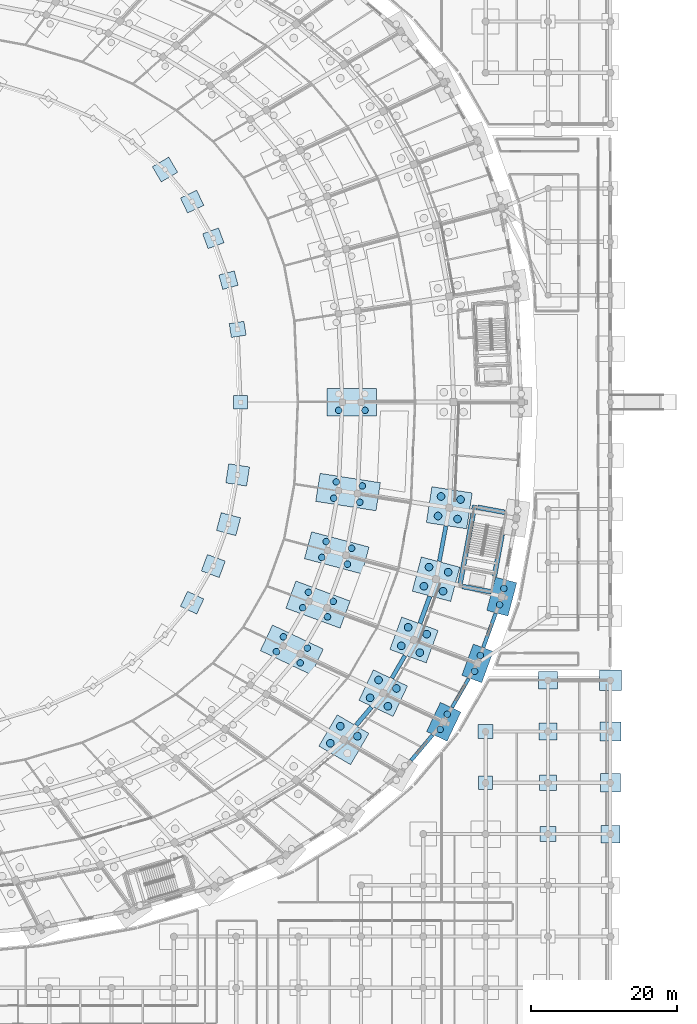
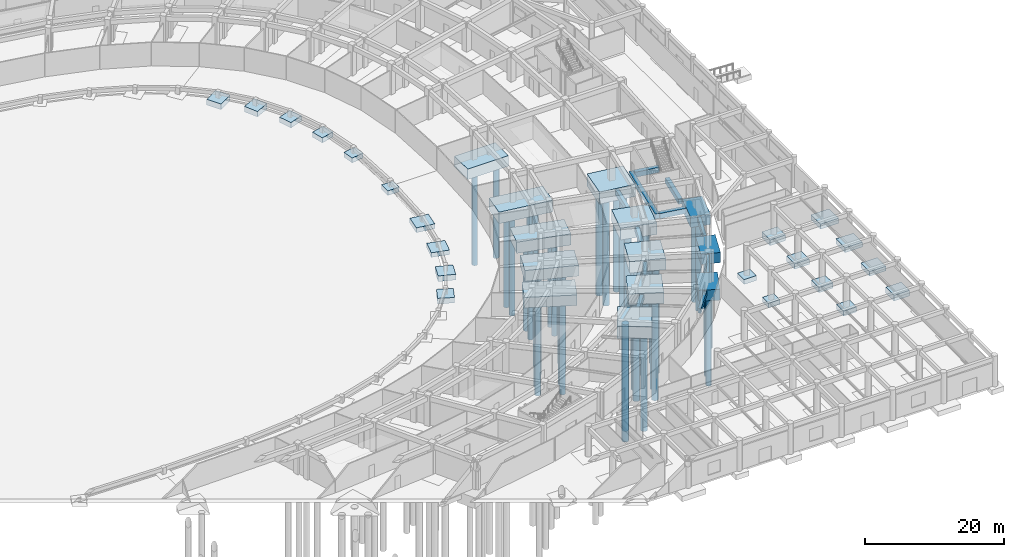
# One storey, part 7 of 88: 44 footings, 43 piles.
"""IFC4 building model written with IfcOpenShell, lengths in metres."""

from ifc_helpers import new_model, si_unit, direction, frame, origin, origin_2d, place, context, subcontext, project, spatial, rectangle, circle, extrude, material, material_profile, profile_set, type_object, element, save


model = new_model("IFC4")

# Units and contexts
model_context = context("Model", 3, precision=1e-05, world=origin(), true_north=direction((0.0, 1.0)))
body_context = subcontext(model_context, "Body", "Model", "MODEL_VIEW")
ifc_project = project(units=[si_unit("LENGTHUNIT", "METRE"), si_unit("AREAUNIT", "SQUARE_METRE"), si_unit("VOLUMEUNIT", "CUBIC_METRE"), si_unit("PLANEANGLEUNIT", "RADIAN"), si_unit("MASSUNIT", "GRAM", prefix="KILO")], contexts=[model_context])

# Site, building, storey
site_placement = place(None, origin())
site = spatial("IfcSite", under=ifc_project, at=site_placement, CompositionType="ELEMENT")
building_placement = place(site_placement, origin())
building = spatial("IfcBuilding", under=site, at=building_placement, Name="Mphavela Belvedere Stadium", CompositionType="ELEMENT")
storey_placement = place(building_placement, origin())
storey = spatial("IfcBuildingStorey", under=building, at=storey_placement, Name="L00", CompositionType="ELEMENT", Elevation=0.0)

# Footings
ifc_material_1 = material(Name="Concrete C35/45", Category="concrete")
footing_type_1 = type_object("IfcFootingType", Name="FTG-CORE-CF01", PredefinedType="PAD_FOOTING", material=ifc_material_1)
footing_1_placement = place(storey_placement, frame((210.429931640625, 67.302734375, -0.89990234375), z_axis=(0.0, 0.0, 1.0), x_axis=(-0.182578735093, -0.983191235463, 0.0)))
element("IfcFooting", 1, at=footing_1_placement, inside=storey, type_object=footing_type_1, Name="Core C12 shear wall foundation pad front", PredefinedType="PAD_FOOTING", context=body_context, shape_type="SweptSolid", body=[
    extrude(rectangle(XDim=11.419921875, YDim=0.64990234375, at=origin_2d()), origin(), (0.0, 0.0, 1.0), 0.89990234375),
])
ifc_material_2 = material(Name="Concrete C35/45", Category="concrete")
footing_type_2 = type_object("IfcFootingType", Name="FTG-CORE-CF08", PredefinedType="PAD_FOOTING", material=ifc_material_2)
footing_2_placement = place(storey_placement, frame((213.726318359375, 72.294677734375, -0.89990234375), z_axis=(0.0, 0.0, 1.0), x_axis=(0.983191235463, -0.182578735093, 0.0)))
element("IfcFooting", 2, at=footing_2_placement, inside=storey, type_object=footing_type_2, Name="Core C12 shear wall foundation pad left", PredefinedType="PAD_FOOTING", context=body_context, shape_type="SweptSolid", body=[
    extrude(rectangle(XDim=3.75, YDim=0.64990234375, at=origin_2d()), origin(), (0.0, 0.0, 1.0), 0.89990234375),
])
ifc_material_3 = material(Name="Concrete C35/45", Category="concrete")
footing_type_3 = type_object("IfcFootingType", Name="FTG-CORE-CF09", PredefinedType="PAD_FOOTING", material=ifc_material_3)
footing_3_placement = place(storey_placement, frame((211.750732421875, 61.453125, -0.89990234375), z_axis=(0.0, 0.0, 1.0), x_axis=(0.983191235463, -0.182578735093, 0.0)))
element("IfcFooting", 3, at=footing_3_placement, inside=storey, type_object=footing_type_3, Name="Core C12 shear wall foundation pad right", PredefinedType="PAD_FOOTING", context=body_context, shape_type="SweptSolid", body=[
    extrude(rectangle(XDim=4.0, YDim=0.64990234375, at=origin_2d()), origin(), (0.0, 0.0, 1.0), 0.89990234375),
])
ifc_material_4 = material(Name="Concrete C35/45", Category="concrete")
footing_type_4 = type_object("IfcFootingType", Name="FTG-CORE-CF13", PredefinedType="PAD_FOOTING", material=ifc_material_4)
footing_4_placement = place(storey_placement, frame((214.685302734375, 66.06396484375, -0.89990234375), z_axis=(0.0, 0.0, 1.0), x_axis=(-0.182578735093, -0.983191235463, 0.0)))
element("IfcFooting", 4, at=footing_4_placement, inside=storey, type_object=footing_type_4, Name="Core C12 shear wall foundation pad rear", PredefinedType="PAD_FOOTING", context=body_context, shape_type="SweptSolid", body=[
    extrude(rectangle(XDim=5.75, YDim=0.64990234375, at=origin_2d()), origin(), (0.0, 0.0, 1.0), 0.89990234375),
])
ifc_material_5 = material(Name="Concrete C35/45", Category="concrete")
ifc_material_profile_1 = material_profile(ifc_material_5, rectangle(XDim=0.449951171875, YDim=0.75, at=origin_2d()), Name="GB 450x750")
ifc_profile_set_1 = profile_set([ifc_material_profile_1], Name="Concrete C35/45")
footing_type_5 = type_object("IfcFootingType", Name="FTG-GB-01", PredefinedType="FOOTING_BEAM", material=ifc_profile_set_1)
footing_5_placement = place(storey_placement, frame((208.373779296875, 45.294921875, -0.5), z_axis=(0.500546068752, 0.865709901212, 0.0), x_axis=(-0.865709901212, 0.500546068752, 0.0)))
element("IfcFooting", 5, at=footing_5_placement, inside=storey, type_object=footing_type_5, Name="Ground tie-beam R4-45", PredefinedType="FOOTING_BEAM", context=body_context, shape_type="SweptSolid", body=[
    extrude(rectangle(XDim=0.449951171875, YDim=0.75, at=origin_2d()), origin(), (0.0, 0.0, 1.0), 4.5751953125),
])
ifc_material_6 = material(Name="Concrete C35/45", Category="concrete")
ifc_material_profile_2 = material_profile(ifc_material_6, rectangle(XDim=0.5, YDim=0.800048828125, at=origin_2d()), Name="GB 500x800")
ifc_profile_set_2 = profile_set([ifc_material_profile_2], Name="Concrete C35/45")
footing_type_6 = type_object("IfcFootingType", Name="FTG-GB-02", PredefinedType="FOOTING_BEAM", material=ifc_profile_set_2)
footing_6_placement = place(storey_placement, frame((202.779541015625, 38.05322265625, -0.5), z_axis=(0.645158496443, 0.764048764457, 0.0), x_axis=(-0.764048764457, 0.645158496443, 0.0)))
element("IfcFooting", 6, at=footing_6_placement, inside=storey, type_object=footing_type_6, Name="Ground tie-beam R4-44", PredefinedType="FOOTING_BEAM", context=body_context, shape_type="SweptSolid", body=[
    extrude(rectangle(XDim=0.5, YDim=0.800048828125, at=origin_2d()), origin(), (0.0, 0.0, 1.0), 4.540283203125),
])
footing_7_placement = place(storey_placement, frame((212.64404296875, 53.489501953125, -0.5), z_axis=(0.341041650333, 0.940048186392, 0.0), x_axis=(-0.940048186392, 0.341041650333, 0.0)))
element("IfcFooting", 7, at=footing_7_placement, inside=storey, type_object=footing_type_6, Name="Ground tie-beam R4-46", PredefinedType="FOOTING_BEAM", context=body_context, shape_type="SweptSolid", body=[
    extrude(rectangle(XDim=0.5, YDim=0.800048828125, at=origin_2d()), origin(), (0.0, 0.0, 1.0), 4.975341796875),
])
ifc_material_7 = material(Name="Concrete C35/45", Category="concrete")
ifc_material_profile_3 = material_profile(ifc_material_7, rectangle(XDim=0.550048828125, YDim=0.85009765625, at=origin_2d()), Name="GB 550x850")
ifc_profile_set_3 = profile_set([ifc_material_profile_3], Name="Concrete C35/45")
footing_type_7 = type_object("IfcFootingType", Name="FTG-GB-03", PredefinedType="FOOTING_BEAM", material=ifc_profile_set_3)
footing_8_placement = place(storey_placement, frame((200.1591796875, 49.298583984375, -0.550048828125), z_axis=(0.500540002691, 0.865713408529, 0.0), x_axis=(-0.865713408529, 0.500540002691, 0.0)))
element("IfcFooting", 8, at=footing_8_placement, inside=storey, type_object=footing_type_7, Name="Ground tie-beam R3-45", PredefinedType="FOOTING_BEAM", context=body_context, shape_type="SweptSolid", body=[
    extrude(rectangle(XDim=0.550048828125, YDim=0.85009765625, at=origin_2d()), origin(), (0.0, 0.0, 1.0), 3.54931640625),
])
footing_9_placement = place(storey_placement, frame((206.640869140625, 65.25830078125, -0.550048828125), z_axis=(0.182657995245, 0.983176513538, 0.0), x_axis=(-0.983176513538, 0.182657995245, 0.0)))
element("IfcFooting", 9, at=footing_9_placement, inside=storey, type_object=footing_type_7, Name="Ground tie-beam R3-47", PredefinedType="FOOTING_BEAM", context=body_context, shape_type="SweptSolid", body=[
    extrude(rectangle(XDim=0.550048828125, YDim=0.85009765625, at=origin_2d()), origin(), (0.0, 0.0, 1.0), 4.918701171875),
])
ifc_material_8 = material(Name="Concrete C35/45", Category="concrete")
ifc_material_profile_4 = material_profile(ifc_material_8, rectangle(XDim=0.60009765625, YDim=0.89990234375, at=origin_2d()), Name="GB 600x900")
ifc_profile_set_4 = profile_set([ifc_material_profile_4], Name="Concrete C35/45")
footing_type_8 = type_object("IfcFootingType", Name="FTG-GB-04", PredefinedType="FOOTING_BEAM", material=ifc_profile_set_4)
footing_10_placement = place(storey_placement, frame((195.279541015625, 42.874755859375, -0.550048828125), z_axis=(0.645167110674, 0.764041490565, 0.0), x_axis=(-0.764041490565, 0.645167110674, 0.0)))
element("IfcFooting", 10, at=footing_10_placement, inside=storey, type_object=footing_type_8, Name="Ground tie-beam R3-44", PredefinedType="FOOTING_BEAM", context=body_context, shape_type="SweptSolid", body=[
    extrude(rectangle(XDim=0.60009765625, YDim=0.89990234375, at=origin_2d()), origin(), (0.0, 0.0, 1.0), 3.234619140625),
])
footing_11_placement = place(storey_placement, frame((203.99267578125, 56.767578125, -0.550048828125), z_axis=(0.341027620059, 0.940053276339, 0.0), x_axis=(-0.940053276339, 0.341027620059, 0.0)))
element("IfcFooting", 11, at=footing_11_placement, inside=storey, type_object=footing_type_8, Name="Ground tie-beam R3-46", PredefinedType="FOOTING_BEAM", context=body_context, shape_type="SweptSolid", body=[
    extrude(rectangle(XDim=0.60009765625, YDim=0.89990234375, at=origin_2d()), origin(), (0.0, 0.0, 1.0), 3.946044921875),
])
ifc_material_9 = material(Name="Concrete C35/45", Category="concrete")
footing_type_9 = type_object("IfcFootingType", Name="FTG-PAD-01", PredefinedType="PAD_FOOTING", material=ifc_material_9)
for number, where, z_axis, x_axis, name in (
    (12, (179.5048828125, 87.0, -0.7998046875), (0.0, 0.0, 1.0), (1.0, 0.0, 0.0), "Tier front pad footing 01"),
    (13, (212.962890625, 35.0, -0.7998046875), (0.0, 0.0, 1.0), (1.0, 0.0, 0.0), "South Axial Triumphal Peristyle Portico pad footing 26-6"),
):
    element("IfcFooting", number, at=place(storey_placement, frame(where, z_axis=z_axis, x_axis=x_axis)), inside=storey, type_object=footing_type_9, Name=name, PredefinedType="PAD_FOOTING", context=body_context, shape_type="SweptSolid", body=[
        extrude(rectangle(XDim=1.89990234375, YDim=1.800048828125, at=origin_2d()), origin(), (0.0, 0.0, 1.0), 0.800048828125),
    ])
ifc_material_10 = material(Name="Concrete C35/45", Category="concrete")
footing_type_10 = type_object("IfcFootingType", Name="FTG-PAD-02", PredefinedType="PAD_FOOTING", material=ifc_material_10)
for number, where, z_axis, x_axis, name in (
    (14, (179.088134765625, 96.9404296875, -0.83984375), (0.0, 0.0, 1.0), (0.98817491911, 0.153330783737, 0.0), "Tier front pad footing 02"),
    (15, (212.962890625, 42.0, -0.83984375), (0.0, 0.0, 1.0), (1.0, 0.0, 0.0), "South Axial Triumphal Peristyle Portico pad footing 26-7"),
):
    element("IfcFooting", number, at=place(storey_placement, frame(where, z_axis=z_axis, x_axis=x_axis)), inside=storey, type_object=footing_type_10, Name=name, PredefinedType="PAD_FOOTING", context=body_context, shape_type="SweptSolid", body=[
        extrude(rectangle(XDim=2.0400390625, YDim=1.919921875, at=origin_2d()), origin(), (0.0, 0.0, 1.0), 0.840087890625),
    ])
ifc_material_11 = material(Name="Concrete C35/45", Category="concrete")
footing_type_11 = type_object("IfcFootingType", Name="FTG-PAD-03", PredefinedType="PAD_FOOTING", material=ifc_material_11)
for number, where, z_axis, x_axis, name in (
    (16, (177.839111328125, 103.664306640625, -0.8798828125), (0.0, 0.0, 1.0), (0.966600102017, 0.256289373133, 0.0), "Tier front pad footing 03"),
    (17, (221.48095703125, 28.0, -0.8798828125), (0.0, 0.0, 1.0), (1.0, 0.0, 0.0), "South Axial Triumphal Peristyle Portico pad footing 27-5"),
):
    element("IfcFooting", number, at=place(storey_placement, frame(where, z_axis=z_axis, x_axis=x_axis)), inside=storey, type_object=footing_type_11, Name=name, PredefinedType="PAD_FOOTING", context=body_context, shape_type="SweptSolid", body=[
        extrude(rectangle(XDim=2.179931640625, YDim=2.0400390625, at=origin_2d()), origin(), (0.0, 0.0, 1.0), 0.8798828125),
    ])
ifc_material_12 = material(Name="Concrete C35/45", Category="concrete")
footing_type_12 = type_object("IfcFootingType", Name="FTG-PAD-04", PredefinedType="PAD_FOOTING", material=ifc_material_12)
for number, where, z_axis, x_axis, name in (
    (18, (175.763427734375, 109.385498046875, -0.919921875), (0.0, 0.0, 1.0), (0.938372433776, 0.34562577382, 0.0), "Tier front pad footing 04"),
    (19, (221.48095703125, 35.0, -0.919921875), (0.0, 0.0, 1.0), (1.0, 0.0, 0.0), "South Axial Triumphal Peristyle Portico pad footing 27-6"),
):
    element("IfcFooting", number, at=place(storey_placement, frame(where, z_axis=z_axis, x_axis=x_axis)), inside=storey, type_object=footing_type_12, Name=name, PredefinedType="PAD_FOOTING", context=body_context, shape_type="SweptSolid", body=[
        extrude(rectangle(XDim=2.320068359375, YDim=2.159912109375, at=origin_2d()), origin(), (0.0, 0.0, 1.0), 0.919921875),
    ])
ifc_material_13 = material(Name="Concrete C35/45", Category="concrete")
footing_type_13 = type_object("IfcFootingType", Name="FTG-PAD-05", PredefinedType="PAD_FOOTING", material=ifc_material_13)
for number, where, z_axis, x_axis, name in (
    (20, (172.869140625, 114.391357421875, -0.9599609375), (0.0, 0.0, 1.0), (0.903858661687, 0.4278311813, 0.0), "Tier front pad footing 05"),
    (21, (172.869140625, 59.608642578125, -0.9599609375), (0.0, 0.0, 1.0), (0.903858661687, -0.4278311813, 0.0), "Tier front pad footing 45"),
    (22, (221.48095703125, 42.0, -0.9599609375), (0.0, 0.0, 1.0), (1.0, 0.0, 0.0), "South Axial Triumphal Peristyle Portico pad footing 27-7"),
):
    element("IfcFooting", number, at=place(storey_placement, frame(where, z_axis=z_axis, x_axis=x_axis)), inside=storey, type_object=footing_type_13, Name=name, PredefinedType="PAD_FOOTING", context=body_context, shape_type="SweptSolid", body=[
        extrude(rectangle(XDim=2.4599609375, YDim=2.280029296875, at=origin_2d()), origin(), (0.0, 0.0, 1.0), 0.9599609375),
    ])
ifc_material_14 = material(Name="Concrete C35/45", Category="concrete")
footing_type_14 = type_object("IfcFootingType", Name="FTG-PAD-06", PredefinedType="PAD_FOOTING", material=ifc_material_14)
for number, where, z_axis, x_axis, name in (
    (23, (169.1650390625, 118.77783203125, -1.0), (0.0, 0.0, 1.0), (0.862513669207, 0.506033764121, 0.0), "Tier front pad footing 06"),
    (24, (175.763427734375, 64.614501953125, -1.0), (0.0, 0.0, 1.0), (0.938372433776, -0.34562577382, 0.0), "Tier front pad footing 46"),
    (25, (221.48095703125, 49.0, -1.0), (0.0, 0.0, 1.0), (1.0, 0.0, 0.0), "South Axial Triumphal Peristyle Portico pad footing 27-8"),
    (26, (230.0, 28.0, -1.0), (0.0, 0.0, 1.0), (1.0, 0.0, 0.0), "South Axial Triumphal Peristyle Portico pad footing 28-5"),
):
    element("IfcFooting", number, at=place(storey_placement, frame(where, z_axis=z_axis, x_axis=x_axis)), inside=storey, type_object=footing_type_14, Name=name, PredefinedType="PAD_FOOTING", context=body_context, shape_type="SweptSolid", body=[
        extrude(rectangle(XDim=2.60009765625, YDim=2.39990234375, at=origin_2d()), origin(), (0.0, 0.0, 1.0), 1.0),
    ])
ifc_material_15 = material(Name="Concrete C35/45", Category="concrete")
footing_type_15 = type_object("IfcFootingType", Name="FTG-PAD-07", PredefinedType="PAD_FOOTING", material=ifc_material_15)
for number, where, z_axis, x_axis, name in (
    (27, (177.839111328125, 70.335693359375, -0.7998046875), (0.0, 0.0, 1.0), (0.966600102017, -0.256289373133, 0.0), "Tier front pad footing 47"),
    (28, (230.0, 35.0, -0.7998046875), (0.0, 0.0, 1.0), (1.0, 0.0, 0.0), "South Axial Triumphal Peristyle Portico pad footing 28-6"),
):
    element("IfcFooting", number, at=place(storey_placement, frame(where, z_axis=z_axis, x_axis=x_axis)), inside=storey, type_object=footing_type_15, Name=name, PredefinedType="PAD_FOOTING", context=body_context, shape_type="SweptSolid", body=[
        extrude(rectangle(XDim=2.739990234375, YDim=2.52001953125, at=origin_2d()), origin(), (0.0, 0.0, 1.0), 0.800048828125),
    ])
ifc_material_16 = material(Name="Concrete C35/45", Category="concrete")
footing_type_16 = type_object("IfcFootingType", Name="FTG-PAD-08", PredefinedType="PAD_FOOTING", material=ifc_material_16)
for number, where, z_axis, x_axis, name in (
    (29, (179.088134765625, 77.0595703125, -0.83984375), (0.0, 0.0, 1.0), (0.98817491911, -0.153330783737, 0.0), "Tier front pad footing 48"),
    (30, (230.0, 42.0, -0.83984375), (0.0, 0.0, 1.0), (1.0, 0.0, 0.0), "South Axial Triumphal Peristyle Portico pad footing 28-7"),
):
    element("IfcFooting", number, at=place(storey_placement, frame(where, z_axis=z_axis, x_axis=x_axis)), inside=storey, type_object=footing_type_16, Name=name, PredefinedType="PAD_FOOTING", context=body_context, shape_type="SweptSolid", body=[
        extrude(rectangle(XDim=2.8798828125, YDim=2.639892578125, at=origin_2d()), origin(), (0.0, 0.0, 1.0), 0.840087890625),
    ])
ifc_material_17 = material(Name="Concrete C35/45", Category="concrete")
footing_type_17 = type_object("IfcFootingType", Name="FTG-PAD-09", PredefinedType="PAD_FOOTING", material=ifc_material_17)
footing_12_placement = place(storey_placement, frame((230.0, 49.0, -0.8798828125), z_axis=(0.0, 0.0, 1.0), x_axis=(1.0, 0.0, 0.0)))
element("IfcFooting", 31, at=footing_12_placement, inside=storey, type_object=footing_type_17, Name="South Axial Triumphal Peristyle Portico pad footing 28-8", PredefinedType="PAD_FOOTING", context=body_context, shape_type="SweptSolid", body=[
    extrude(rectangle(XDim=3.02001953125, YDim=2.760009765625, at=origin_2d()), origin(), (0.0, 0.0, 1.0), 0.8798828125),
])
ifc_material_18 = material(Name="Concrete C35/45", Category="concrete")
footing_type_18 = type_object("IfcFootingType", Name="FTG-PC-R12-01", PredefinedType="PILE_CAP", material=ifc_material_18)
footing_13_placement = place(storey_placement, frame((194.685546875, 87.0, -1.85009765625), z_axis=(0.0, 0.0, 1.0), x_axis=(1.0, 0.0, 0.0)))
element("IfcFooting", 32, at=footing_13_placement, inside=storey, type_object=footing_type_18, Name="Bowl inner pile cap 01", PredefinedType="PILE_CAP", context=body_context, shape_type="SweptSolid", body=[
    extrude(rectangle(XDim=6.800048828125, YDim=3.800048828125, at=origin_2d()), origin(), (0.0, 0.0, 1.0), 1.85009765625),
])
ifc_material_19 = material(Name="Concrete C35/45", Category="concrete")
footing_type_19 = type_object("IfcFootingType", Name="FTG-PC-R12-05", PredefinedType="PILE_CAP", material=ifc_material_19)
footing_14_placement = place(storey_placement, frame((186.48779296875, 53.162353515625, -1.85009765625), z_axis=(0.0, 0.0, 1.0), x_axis=(0.903858661687, -0.4278311813, 0.0)))
element("IfcFooting", 33, at=footing_14_placement, inside=storey, type_object=footing_type_19, Name="Bowl inner pile cap 45", PredefinedType="PILE_CAP", context=body_context, shape_type="SweptSolid", body=[
    extrude(rectangle(XDim=7.679931640625, YDim=3.8798828125, at=origin_2d()), origin(), (0.0, 0.0, 1.0), 1.85009765625),
])
ifc_material_20 = material(Name="Concrete C35/45", Category="concrete")
footing_type_20 = type_object("IfcFootingType", Name="FTG-PC-R12-06", PredefinedType="PILE_CAP", material=ifc_material_20)
footing_15_placement = place(storey_placement, frame((190.0634765625, 59.34619140625, -1.91015625), z_axis=(0.0, 0.0, 1.0), x_axis=(0.938372433776, -0.34562577382, 0.0)))
element("IfcFooting", 34, at=footing_15_placement, inside=storey, type_object=footing_type_20, Name="Bowl inner pile cap 46", PredefinedType="PILE_CAP", context=body_context, shape_type="SweptSolid", body=[
    extrude(rectangle(XDim=7.89990234375, YDim=3.9599609375, at=origin_2d()), origin(), (0.0, 0.0, 1.0), 1.909912109375),
])
ifc_material_21 = material(Name="Concrete C35/45", Category="concrete")
footing_type_21 = type_object("IfcFootingType", Name="FTG-PC-R12-07", PredefinedType="PILE_CAP", material=ifc_material_21)
footing_16_placement = place(storey_placement, frame((192.627685546875, 66.4140625, -1.97021484375), z_axis=(0.0, 0.0, 1.0), x_axis=(0.966600102017, -0.256289373133, 0.0)))
element("IfcFooting", 35, at=footing_16_placement, inside=storey, type_object=footing_type_21, Name="Bowl inner pile cap 47", PredefinedType="PILE_CAP", context=body_context, shape_type="SweptSolid", body=[
    extrude(rectangle(XDim=8.1201171875, YDim=3.800048828125, at=origin_2d()), origin(), (0.0, 0.0, 1.0), 1.969970703125),
])
ifc_material_22 = material(Name="Concrete C35/45", Category="concrete")
footing_type_22 = type_object("IfcFootingType", Name="FTG-PC-R12-08", PredefinedType="PILE_CAP", material=ifc_material_22)
footing_17_placement = place(storey_placement, frame((194.17041015625, 74.72021484375, -2.02978515625), z_axis=(0.0, 0.0, 1.0), x_axis=(0.98817491911, -0.153330783737, 0.0)))
element("IfcFooting", 36, at=footing_17_placement, inside=storey, type_object=footing_type_22, Name="Bowl inner pile cap 48", PredefinedType="PILE_CAP", context=body_context, shape_type="SweptSolid", body=[
    extrude(rectangle(XDim=8.340087890625, YDim=3.8798828125, at=origin_2d()), origin(), (0.0, 0.0, 1.0), 2.030029296875),
])
ifc_material_23 = material(Name="Concrete C35/45", Category="concrete")
footing_type_23 = type_object("IfcFootingType", Name="FTG-PC-R3-04", PredefinedType="PILE_CAP", material=ifc_material_23)
footing_18_placement = place(storey_placement, frame((193.600341796875, 40.88623046875, -2.1298828125), z_axis=(0.0, 0.0, 1.0), x_axis=(0.862513669207, -0.506033764121, 0.0)))
element("IfcFooting", 37, at=footing_18_placement, inside=storey, type_object=footing_type_23, Name="Bowl main pile cap 44", PredefinedType="PILE_CAP", context=body_context, shape_type="SweptSolid", body=[
    extrude(rectangle(XDim=5.02001953125, YDim=4.9599609375, at=origin_2d()), origin(), (0.0, 0.0, 1.0), 2.1298828125),
])
ifc_material_24 = material(Name="Concrete C35/45", Category="concrete")
footing_type_24 = type_object("IfcFootingType", Name="FTG-PC-R3-05", PredefinedType="PILE_CAP", material=ifc_material_24)
footing_19_placement = place(storey_placement, frame((198.9755859375, 47.251708984375, -1.9501953125), z_axis=(0.0, 0.0, 1.0), x_axis=(0.903858661687, -0.4278311813, 0.0)))
element("IfcFooting", 38, at=footing_19_placement, inside=storey, type_object=footing_type_24, Name="Bowl main pile cap 45", PredefinedType="PILE_CAP", context=body_context, shape_type="SweptSolid", body=[
    extrude(rectangle(XDim=5.159912109375, YDim=4.60009765625, at=origin_2d()), origin(), (0.0, 0.0, 1.0), 1.949951171875),
])
ifc_material_25 = material(Name="Concrete C35/45", Category="concrete")
footing_type_25 = type_object("IfcFootingType", Name="FTG-PC-R3-06", PredefinedType="PILE_CAP", material=ifc_material_25)
footing_20_placement = place(storey_placement, frame((203.175537109375, 54.515625, -2.009765625), z_axis=(0.0, 0.0, 1.0), x_axis=(0.938372433776, -0.34562577382, 0.0)))
element("IfcFooting", 39, at=footing_20_placement, inside=storey, type_object=footing_type_25, Name="Bowl main pile cap 46", PredefinedType="PILE_CAP", context=body_context, shape_type="SweptSolid", body=[
    extrude(rectangle(XDim=5.300048828125, YDim=4.719970703125, at=origin_2d()), origin(), (0.0, 0.0, 1.0), 2.010009765625),
])
ifc_material_26 = material(Name="Concrete C35/45", Category="concrete")
footing_type_26 = type_object("IfcFootingType", Name="FTG-PC-R3-07", PredefinedType="PILE_CAP", material=ifc_material_26)
footing_21_placement = place(storey_placement, frame((206.1875, 62.818115234375, -2.06982421875), z_axis=(0.0, 0.0, 1.0), x_axis=(0.966600102017, -0.256289373133, 0.0)))
element("IfcFooting", 40, at=footing_21_placement, inside=storey, type_object=footing_type_26, Name="Bowl main pile cap 47", PredefinedType="PILE_CAP", context=body_context, shape_type="SweptSolid", body=[
    extrude(rectangle(XDim=5.43994140625, YDim=4.840087890625, at=origin_2d()), origin(), (0.0, 0.0, 1.0), 2.070068359375),
])
ifc_material_27 = material(Name="Concrete C35/45", Category="concrete")
footing_type_27 = type_object("IfcFootingType", Name="FTG-PC-R3-08", PredefinedType="PILE_CAP", material=ifc_material_27)
footing_22_placement = place(storey_placement, frame((208.0, 72.5751953125, -2.1298828125), z_axis=(0.0, 0.0, 1.0), x_axis=(0.98817491911, -0.153330783737, 0.0)))
element("IfcFooting", 41, at=footing_22_placement, inside=storey, type_object=footing_type_27, Name="Bowl main pile cap 48", PredefinedType="PILE_CAP", context=body_context, shape_type="SweptSolid", body=[
    extrude(rectangle(XDim=5.580078125, YDim=4.9599609375, at=origin_2d()), origin(), (0.0, 0.0, 1.0), 2.1298828125),
])
ifc_material_28 = material(Name="Concrete C35/45", Category="concrete")
footing_type_28 = type_object("IfcFootingType", Name="FTG-PC-R4-03", PredefinedType="PILE_CAP", material=ifc_material_28)
footing_23_placement = place(storey_placement, frame((207.242431640625, 43.33837890625, -1.919921875), z_axis=(0.0, 0.0, 1.0), x_axis=(0.4278311813, 0.903858661687, 0.0)))
element("IfcFooting", 42, at=footing_23_placement, inside=storey, type_object=footing_type_28, Name="Perimeter colonnade pile cap 45", PredefinedType="PILE_CAP", context=body_context, shape_type="SweptSolid", body=[
    extrude(rectangle(XDim=4.39990234375, YDim=3.10009765625, at=origin_2d()), origin(), (0.0, 0.0, 1.0), 1.919921875),
])
ifc_material_29 = material(Name="Concrete C35/45", Category="concrete")
footing_type_29 = type_object("IfcFootingType", Name="FTG-PC-R4-04", PredefinedType="PILE_CAP", material=ifc_material_29)
footing_24_placement = place(storey_placement, frame((211.856201171875, 51.317626953125, -1.7998046875), z_axis=(0.0, 0.0, 1.0), x_axis=(0.34562577382, 0.938372433776, 0.0)))
element("IfcFooting", 43, at=footing_24_placement, inside=storey, type_object=footing_type_29, Name="Perimeter colonnade pile cap 46", PredefinedType="PILE_CAP", context=body_context, shape_type="SweptSolid", body=[
    extrude(rectangle(XDim=4.550048828125, YDim=2.89990234375, at=origin_2d()), origin(), (0.0, 0.0, 1.0), 1.800048828125),
])
ifc_material_30 = material(Name="Concrete C35/45", Category="concrete")
footing_type_30 = type_object("IfcFootingType", Name="FTG-PC-R4-05", PredefinedType="PILE_CAP", material=ifc_material_30)
footing_25_placement = place(storey_placement, frame((215.16455078125, 60.4375, -1.85986328125), z_axis=(0.0, 0.0, 1.0), x_axis=(0.256289373133, 0.966600102017, 0.0)))
element("IfcFooting", 44, at=footing_25_placement, inside=storey, type_object=footing_type_30, Name="Perimeter colonnade pile cap 47", PredefinedType="PILE_CAP", context=body_context, shape_type="SweptSolid", body=[
    extrude(rectangle(XDim=4.699951171875, YDim=3.0, at=origin_2d()), origin(), (0.0, 0.0, 1.0), 1.860107421875),
])

# Piles
ifc_material_31 = material(Name="Concrete C35/45", Category="concrete")
ifc_material_profile_5 = material_profile(ifc_material_31, circle(Radius=0.52490234375, at=origin_2d()), Name="BP D1050")
ifc_profile_set_5 = profile_set([ifc_material_profile_5], Name="Concrete C35/45")
pile_type_1 = type_object("IfcPileType", Name="PIL-BP1050-A", PredefinedType="BORED", material=ifc_profile_set_5)
for number, where, z_axis, x_axis, name in (
    (45, (197.177734375, 46.60888671875, -1.85009765625), (0.0, 0.0, -1.0), (1.0, 0.0, 0.0), "Bored pile R3-45-1"),
    (46, (198.3330078125, 49.04931640625, -1.85009765625), (0.0, 0.0, -1.0), (1.0, 0.0, 0.0), "Bored pile R3-45-2"),
    (47, (199.6181640625, 45.453857421875, -1.85009765625), (0.0, 0.0, -1.0), (1.0, 0.0, 0.0), "Bored pile R3-45-3"),
    (48, (200.773193359375, 47.894287109375, -1.85009765625), (0.0, 0.0, -1.0), (1.0, 0.0, 0.0), "Bored pile R3-45-4"),
    (49, (204.53662109375, 61.859375, -1.969970703125), (0.0, 0.0, -1.0), (1.0, 0.0, 0.0), "Bored pile R3-47-1"),
    (50, (205.228759765625, 64.468994140625, -1.969970703125), (0.0, 0.0, -1.0), (1.0, 0.0, 0.0), "Bored pile R3-47-2"),
    (51, (207.146484375, 61.167236328125, -1.969970703125), (0.0, 0.0, -1.0), (1.0, 0.0, 0.0), "Bored pile R3-47-3"),
    (52, (207.83837890625, 63.77685546875, -1.969970703125), (0.0, 0.0, -1.0), (1.0, 0.0, 0.0), "Bored pile R3-47-4"),
):
    element("IfcPile", number, at=place(storey_placement, frame(where, z_axis=z_axis, x_axis=x_axis)), inside=storey, type_object=pile_type_1, Name=name, PredefinedType="BORED", context=body_context, shape_type="SweptSolid", body=[
        extrude(circle(Radius=0.52490234375, at=origin_2d()), origin(), (0.0, 0.0, 1.0), 17.5),
    ])
ifc_material_32 = material(Name="Concrete C35/45", Category="concrete")
ifc_material_profile_6 = material_profile(ifc_material_32, circle(Radius=0.52490234375, at=origin_2d()), Name="BP D1050")
ifc_profile_set_6 = profile_set([ifc_material_profile_6], Name="Concrete C35/45")
pile_type_2 = type_object("IfcPileType", Name="PIL-BP1050-B", PredefinedType="BORED", material=ifc_profile_set_6)
for number, where, z_axis, x_axis, name in (
    (53, (191.7529296875, 40.40478515625, -2.030029296875), (0.0, 0.0, -1.0), (1.0, 0.0, 0.0), "Bored pile R3-44-1"),
    (54, (193.119140625, 42.733642578125, -2.030029296875), (0.0, 0.0, -1.0), (1.0, 0.0, 0.0), "Bored pile R3-44-2"),
    (55, (195.447998046875, 41.367431640625, -2.030029296875), (0.0, 0.0, -1.0), (1.0, 0.0, 0.0), "Bored pile R3-44-4"),
    (56, (201.442138671875, 53.715576171875, -1.909912109375), (0.0, 0.0, -1.0), (1.0, 0.0, 0.0), "Bored pile R3-46-1"),
    (57, (202.37548828125, 56.249267578125, -1.909912109375), (0.0, 0.0, -1.0), (1.0, 0.0, 0.0), "Bored pile R3-46-2"),
    (58, (203.9755859375, 52.7822265625, -1.909912109375), (0.0, 0.0, -1.0), (1.0, 0.0, 0.0), "Bored pile R3-46-3"),
    (59, (204.9091796875, 55.31591796875, -1.909912109375), (0.0, 0.0, -1.0), (1.0, 0.0, 0.0), "Bored pile R3-46-4"),
    (60, (206.458984375, 71.447998046875, -2.030029296875), (0.0, 0.0, -1.0), (1.0, 0.0, 0.0), "Bored pile R3-48-1"),
    (61, (206.872802734375, 74.1162109375, -2.030029296875), (0.0, 0.0, -1.0), (1.0, 0.0, 0.0), "Bored pile R3-48-2"),
    (62, (209.127197265625, 71.0341796875, -2.030029296875), (0.0, 0.0, -1.0), (1.0, 0.0, 0.0), "Bored pile R3-48-3"),
    (63, (209.541015625, 73.7021484375, -2.030029296875), (0.0, 0.0, -1.0), (1.0, 0.0, 0.0), "Bored pile R3-48-4"),
):
    element("IfcPile", number, at=place(storey_placement, frame(where, z_axis=z_axis, x_axis=x_axis)), inside=storey, type_object=pile_type_2, Name=name, PredefinedType="BORED", context=body_context, shape_type="SweptSolid", body=[
        extrude(circle(Radius=0.52490234375, at=origin_2d()), origin(), (0.0, 0.0, 1.0), 18.800048828125),
    ])
ifc_material_33 = material(Name="Concrete C35/45", Category="concrete")
ifc_material_profile_7 = material_profile(ifc_material_33, circle(Radius=0.449951171875, at=origin_2d()), Name="BP D900")
ifc_profile_set_7 = profile_set([ifc_material_profile_7], Name="Concrete C35/45")
pile_type_3 = type_object("IfcPileType", Name="PIL-BP900-A", PredefinedType="BORED", material=ifc_profile_set_7)
for number, where, z_axis, x_axis, name in (
    (64, (192.885498046875, 85.875, -1.75), (0.0, 0.0, -1.0), (1.0, 0.0, 0.0), "Bored pile R12-01-1"),
    (65, (196.485595703125, 85.875, -1.75), (0.0, 0.0, -1.0), (1.0, 0.0, 0.0), "Bored pile R12-01-3"),
    (66, (184.379638671875, 52.91552734375, -1.75), (0.0, 0.0, -1.0), (1.0, 0.0, 0.0), "Bored pile R12-45-1"),
    (67, (185.34228515625, 54.94921875, -1.75), (0.0, 0.0, -1.0), (1.0, 0.0, 0.0), "Bored pile R12-45-2"),
    (68, (187.633544921875, 51.37548828125, -1.75), (0.0, 0.0, -1.0), (1.0, 0.0, 0.0), "Bored pile R12-45-3"),
    (69, (188.59619140625, 53.4091796875, -1.75), (0.0, 0.0, -1.0), (1.0, 0.0, 0.0), "Bored pile R12-45-4"),
):
    element("IfcPile", number, at=place(storey_placement, frame(where, z_axis=z_axis, x_axis=x_axis)), inside=storey, type_object=pile_type_3, Name=name, PredefinedType="BORED", context=body_context, shape_type="SweptSolid", body=[
        extrude(circle(Radius=0.449951171875, at=origin_2d()), origin(), (0.0, 0.0, 1.0), 16.0),
    ])
for number, where, z_axis, x_axis, name in (
    (70, (206.75048828125, 42.299072265625, -1.820068359375), (0.0, 0.0, -1.0), (1.0, 0.0, 0.0), "Bored pile R4-45-1"),
    (71, (207.734619140625, 44.3779296875, -1.820068359375), (0.0, 0.0, -1.0), (1.0, 0.0, 0.0), "Bored pile R4-45-2"),
    (72, (211.45849609375, 50.238525390625, -1.699951171875), (0.0, 0.0, -1.0), (1.0, 0.0, 0.0), "Bored pile R4-46-1"),
    (73, (212.253662109375, 52.396728515625, -1.699951171875), (0.0, 0.0, -1.0), (1.0, 0.0, 0.0), "Bored pile R4-46-2"),
):
    element("IfcPile", number, at=place(storey_placement, frame(where, z_axis=z_axis, x_axis=x_axis)), inside=storey, type_object=pile_type_3, Name=name, PredefinedType="BORED", context=body_context, shape_type="SweptSolid", body=[
        extrude(circle(Radius=0.449951171875, at=origin_2d()), origin(), (0.0, 0.0, 1.0), 15.60009765625),
    ])
for number, where, z_axis, x_axis, name in (
    (74, (190.599365234375, 65.7880859375, -1.8701171875), (0.0, 0.0, -1.0), (1.0, 0.0, 0.0), "Bored pile R12-47-1"),
    (75, (191.176025390625, 67.962890625, -1.8701171875), (0.0, 0.0, -1.0), (1.0, 0.0, 0.0), "Bored pile R12-47-2"),
    (76, (194.0791015625, 64.865234375, -1.8701171875), (0.0, 0.0, -1.0), (1.0, 0.0, 0.0), "Bored pile R12-47-3"),
    (77, (194.65576171875, 67.0400390625, -1.8701171875), (0.0, 0.0, -1.0), (1.0, 0.0, 0.0), "Bored pile R12-47-4"),
):
    element("IfcPile", number, at=place(storey_placement, frame(where, z_axis=z_axis, x_axis=x_axis)), inside=storey, type_object=pile_type_3, Name=name, PredefinedType="BORED", context=body_context, shape_type="SweptSolid", body=[
        extrude(circle(Radius=0.449951171875, at=origin_2d()), origin(), (0.0, 0.0, 1.0), 16.0),
    ])
for number, where, z_axis, x_axis, name in (
    (78, (214.869873046875, 59.325927734375, -1.760009765625), (0.0, 0.0, -1.0), (1.0, 0.0, 0.0), "Bored pile R4-47-1"),
    (79, (215.45947265625, 61.549072265625, -1.760009765625), (0.0, 0.0, -1.0), (1.0, 0.0, 0.0), "Bored pile R4-47-2"),
):
    element("IfcPile", number, at=place(storey_placement, frame(where, z_axis=z_axis, x_axis=x_axis)), inside=storey, type_object=pile_type_3, Name=name, PredefinedType="BORED", context=body_context, shape_type="SweptSolid", body=[
        extrude(circle(Radius=0.449951171875, at=origin_2d()), origin(), (0.0, 0.0, 1.0), 15.60009765625),
    ])
ifc_material_34 = material(Name="Concrete C35/45", Category="concrete")
ifc_material_profile_8 = material_profile(ifc_material_34, circle(Radius=0.449951171875, at=origin_2d()), Name="BP D900")
ifc_profile_set_8 = profile_set([ifc_material_profile_8], Name="Concrete C35/45")
pile_type_4 = type_object("IfcPileType", Name="PIL-BP900-B", PredefinedType="BORED", material=ifc_profile_set_8)
for number, where, z_axis, x_axis, name in (
    (80, (187.985595703125, 58.912841796875, -1.81005859375), (0.0, 0.0, -1.0), (1.0, 0.0, 0.0), "Bored pile R12-46-1"),
    (81, (188.76318359375, 61.024169921875, -1.81005859375), (0.0, 0.0, -1.0), (1.0, 0.0, 0.0), "Bored pile R12-46-2"),
    (82, (191.363525390625, 57.668212890625, -1.81005859375), (0.0, 0.0, -1.0), (1.0, 0.0, 0.0), "Bored pile R12-46-3"),
    (83, (192.141357421875, 59.779541015625, -1.81005859375), (0.0, 0.0, -1.0), (1.0, 0.0, 0.0), "Bored pile R12-46-4"),
    (84, (192.21923828125, 73.88427734375, -1.929931640625), (0.0, 0.0, -1.0), (1.0, 0.0, 0.0), "Bored pile R12-48-1"),
    (85, (192.564208984375, 76.107666015625, -1.929931640625), (0.0, 0.0, -1.0), (1.0, 0.0, 0.0), "Bored pile R12-48-2"),
    (86, (195.77685546875, 73.33251953125, -1.929931640625), (0.0, 0.0, -1.0), (1.0, 0.0, 0.0), "Bored pile R12-48-3"),
    (87, (196.12158203125, 75.555908203125, -1.929931640625), (0.0, 0.0, -1.0), (1.0, 0.0, 0.0), "Bored pile R12-48-4"),
):
    element("IfcPile", number, at=place(storey_placement, frame(where, z_axis=z_axis, x_axis=x_axis)), inside=storey, type_object=pile_type_4, Name=name, PredefinedType="BORED", context=body_context, shape_type="SweptSolid", body=[
        extrude(circle(Radius=0.449951171875, at=origin_2d()), origin(), (0.0, 0.0, 1.0), 17.199951171875),
    ])

save(model, "model.ifc")
